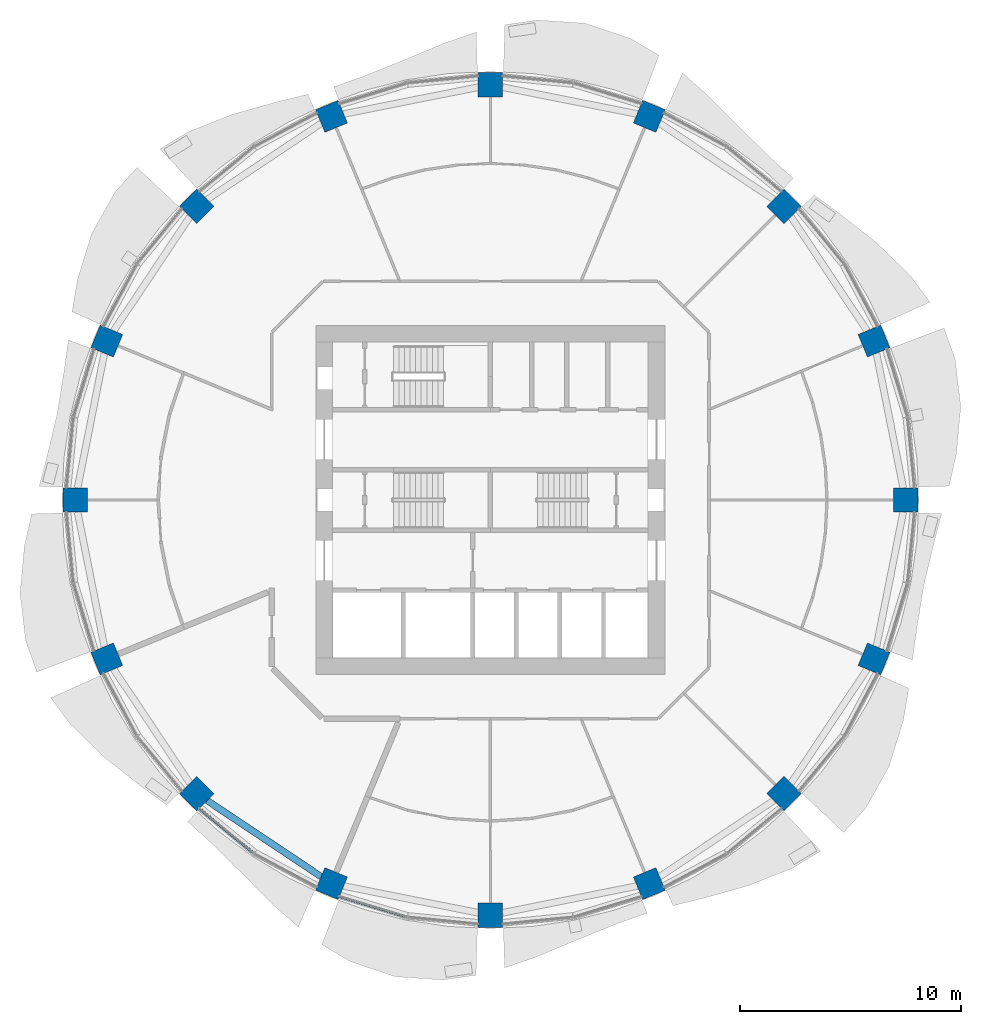
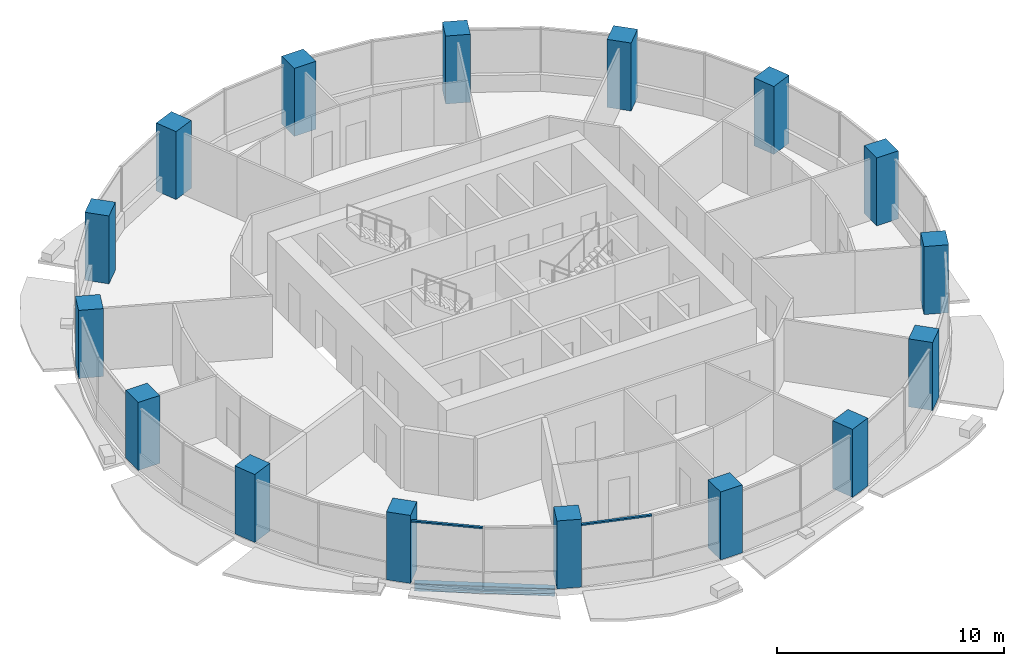
# One storey, part 1 of 15: 16 columns, 2 members, 1 beam, 2 elements without a shape of their own.
"""IFC4 building model written with IfcOpenShell, lengths in metres."""

from ifc_helpers import new_model, si_unit, direction, frame, origin, origin_2d, place, context, subcontext, project, spatial, rectangle, i_section, extrude, material, material_profile, profile_set, type_object, element, aggregate, save


model = new_model("IFC4")

# Units and contexts
model_context = context("Model", 3, precision=1e-05, world=origin(), true_north=direction((0.0, 1.0)))
body_context = subcontext(model_context, "Body", "Model", "MODEL_VIEW")
ifc_project = project(units=[si_unit("LENGTHUNIT", "METRE"), si_unit("AREAUNIT", "SQUARE_METRE"), si_unit("VOLUMEUNIT", "CUBIC_METRE"), si_unit("PLANEANGLEUNIT", "RADIAN"), si_unit("MASSUNIT", "GRAM", prefix="KILO")], contexts=[model_context])

# Site, building, storey
site_placement = place(None, origin())
site = spatial("IfcSite", under=ifc_project, at=site_placement, CompositionType="ELEMENT")
building_placement = place(site_placement, origin())
building = spatial("IfcBuilding", under=site, at=building_placement, Name="Polderwave Tower", CompositionType="ELEMENT")
storey_placement = place(building_placement, frame((0.0, 0.0, 83.699951171875)))
storey = spatial("IfcBuildingStorey", under=building, at=storey_placement, Name="L21", CompositionType="ELEMENT", Elevation=83.699951171875)

# Columns
ifc_material_1 = material(Name="Concrete C70/85", Category="concrete")
ifc_material_profile_1 = material_profile(ifc_material_1, rectangle(XDim=1.10009765625, YDim=1.10009765625, at=origin_2d()), Name="RC 1100x1100")
ifc_profile_set_1 = profile_set([ifc_material_profile_1], Name="Concrete C70/85")
column_type = type_object("IfcColumnType", Name="RC COLUMN 1100x1100 C70/85", PredefinedType="COLUMN", material=ifc_profile_set_1)
for number, where, z_axis, x_axis, name in (
    (1, (18.75, 0.0, 0.0), (0.0, 0.0, 1.0), (1.0, 0.0, 0.0), "Ring column 01"),
    (2, (17.32275390625, 7.17529296875, 0.0), (0.0, 0.0, 1.0), (0.923879532511, 0.382683432365, 0.0), "Ring column 02"),
    (3, (13.25830078125, 13.25830078125, 0.0), (0.0, 0.0, 1.0), (0.707106781187, 0.707106781187, 0.0), "Ring column 03"),
    (4, (7.17529296875, 17.32275390625, 0.0), (0.0, 0.0, 1.0), (0.382683432365, 0.923879532511, 0.0), "Ring column 04"),
    (5, (0.0, 18.75, 0.0), (0.0, 0.0, 1.0), (0.0, 1.0, 0.0), "Ring column 05"),
    (6, (-7.17529296875, 17.32275390625, 0.0), (0.0, 0.0, 1.0), (-0.382683432365, 0.923879532511, 0.0), "Ring column 06"),
    (7, (-13.25830078125, 13.25830078125, 0.0), (0.0, 0.0, 1.0), (-0.707106781187, 0.707106781187, 0.0), "Ring column 07"),
    (8, (-17.32275390625, 7.17529296875, 0.0), (0.0, 0.0, 1.0), (-0.923879532511, 0.382683432365, 0.0), "Ring column 08"),
    (9, (-18.75, 0.0, 0.0), (0.0, 0.0, 1.0), (-1.0, 0.0, 0.0), "Ring column 09"),
    (10, (-17.32275390625, -7.17529296875, 0.0), (0.0, 0.0, 1.0), (-0.923879532511, -0.382683432365, 0.0), "Ring column 10"),
    (11, (-13.25830078125, -13.25830078125, 0.0), (0.0, 0.0, 1.0), (-0.707106781187, -0.707106781187, 0.0), "Ring column 11"),
    (12, (-7.17529296875, -17.32275390625, 0.0), (0.0, 0.0, 1.0), (-0.382683432365, -0.923879532511, 0.0), "Ring column 12"),
    (13, (0.0, -18.75, 0.0), (0.0, 0.0, 1.0), (0.0, -1.0, 0.0), "Ring column 13"),
    (14, (7.17529296875, -17.32275390625, 0.0), (0.0, 0.0, 1.0), (0.382683432365, -0.923879532511, 0.0), "Ring column 14"),
    (15, (13.25830078125, -13.25830078125, 0.0), (0.0, 0.0, 1.0), (0.707106781187, -0.707106781187, 0.0), "Ring column 15"),
    (16, (17.32275390625, -7.17529296875, 0.0), (0.0, 0.0, 1.0), (0.923879532511, -0.382683432365, 0.0), "Ring column 16"),
):
    element("IfcColumn", number, at=place(storey_placement, frame(where, z_axis=z_axis, x_axis=x_axis)), inside=storey, type_object=column_type, Name=name, PredefinedType="COLUMN", context=body_context, shape_type="SweptSolid", body=[
        extrude(rectangle(XDim=1.10009765625, YDim=1.10009765625, at=origin_2d()), origin(), (0.0, 0.0, 1.0), 3.650146484375),
    ])

# Curtain wall, member
ifc_material_2 = material(Name="Aluminium 6063-T6 and glass", Category="aluminium")
curtain_wall_type = type_object("IfcCurtainWallType", Name="Growing floor ribbon glazing wall", PredefinedType="NOTDEFINED", material=ifc_material_2)
curtain_wall_1_placement = place(storey_placement, origin())
curtain_wall_1 = element("IfcCurtainWall", 17, at=curtain_wall_1_placement, inside=storey, type_object=curtain_wall_type, Name="CW2 L21 10", PredefinedType="NOTDEFINED")
ifc_material_3 = material(Name="Aluminium 6063-T6", Category="aluminium")
ifc_material_profile_2 = material_profile(ifc_material_3, rectangle(XDim=0.1201171875, YDim=0.080078125, at=origin_2d()), Name="AL 80x120")
ifc_profile_set_2 = profile_set([ifc_material_profile_2], Name="Aluminium 6063-T6")
member_type = type_object("IfcMemberType", Name="Growing floor ribbon glazing transom 80x120", PredefinedType="USERDEFINED", material=ifc_profile_set_2)
member_1_placement = place(storey_placement, frame((-13.14892578125, -13.927001953125, 3.260009765625), z_axis=(0.772974924898, -0.634436573251, 0.0), x_axis=(0.634436573251, 0.772974924898, 0.0)))
member_1 = element("IfcMember", 18, at=member_1_placement, type_object=member_type, Name="CW2 transom 1", ObjectType="TRANSOM", PredefinedType="USERDEFINED", context=body_context, shape_type="SweptSolid", body=[
    extrude(rectangle(XDim=0.1201171875, YDim=0.080078125, at=origin_2d()), origin(), (0.0, 0.0, 1.0), 3.180908203125),
])
aggregate(curtain_wall_1, [member_1])

curtain_wall_2_placement = place(storey_placement, origin())
curtain_wall_2 = element("IfcCurtainWall", 19, at=curtain_wall_2_placement, inside=storey, type_object=curtain_wall_type, Name="CW2 L21 11", PredefinedType="NOTDEFINED")
member_2_placement = place(storey_placement, frame((-6.819091796875, -17.89892578125, 3.260009765625), z_axis=(0.95695596309, -0.290233155766, 0.0), x_axis=(0.290233155766, 0.95695596309, 0.0)))
member_2 = element("IfcMember", 20, at=member_2_placement, type_object=member_type, Name="CW2 transom 1", ObjectType="TRANSOM", PredefinedType="USERDEFINED", context=body_context, shape_type="SweptSolid", body=[
    extrude(rectangle(XDim=0.1201171875, YDim=0.080078125, at=origin_2d()), origin(), (0.0, 0.0, 1.0), 3.181396484375),
])
aggregate(curtain_wall_2, [member_2])

# Beam
ifc_material_4 = material(Name="Steel S355", Category="steel")
ifc_material_profile_3 = material_profile(ifc_material_4, i_section(OverallWidth=0.300048828125, OverallDepth=0.39990234375, WebThickness=0.013427734375, FlangeThickness=0.02392578125, at=origin_2d()), Name="HE 400 B")
ifc_profile_set_3 = profile_set([ifc_material_profile_3], Name="Steel S355")
beam_type = type_object("IfcBeamType", Name="RING BEAM HE 400 B", PredefinedType="BEAM", material=ifc_profile_set_3)
beam_placement = place(storey_placement, frame((-12.7919921875, -13.56982421875, -0.550048828125), z_axis=(0.831467728736, -0.555573051966, 0.0), x_axis=(0.555573051966, 0.831467728736, 0.0)))
element("IfcBeam", 21, at=beam_placement, inside=storey, type_object=beam_type, Name="ST-RB-L21-10", PredefinedType="BEAM", context=body_context, shape_type="SweptSolid", body=[
    extrude(i_section(OverallWidth=0.300048828125, OverallDepth=0.39990234375, WebThickness=0.013427734375, FlangeThickness=0.02392578125, at=origin_2d()), origin(), (0.0, 0.0, 1.0), 6.1943359375),
])

save(model, "model.ifc")
